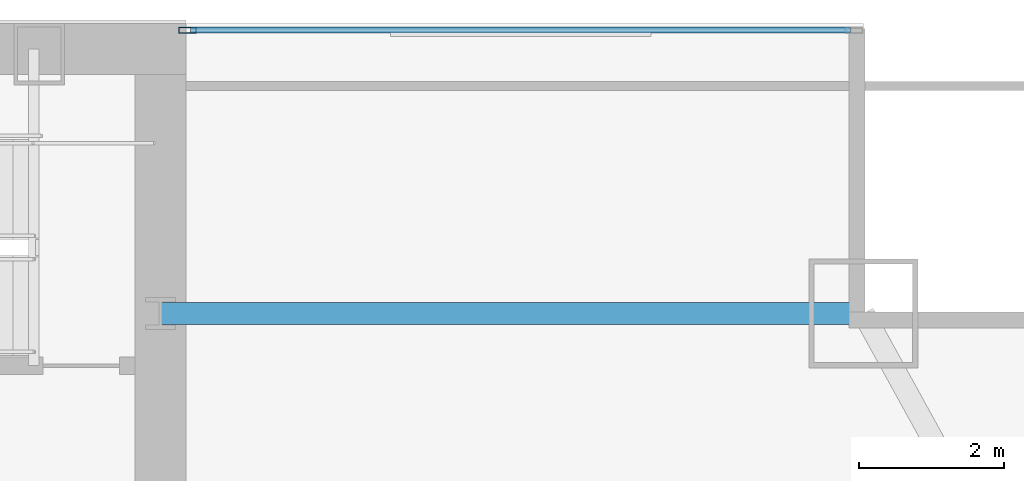
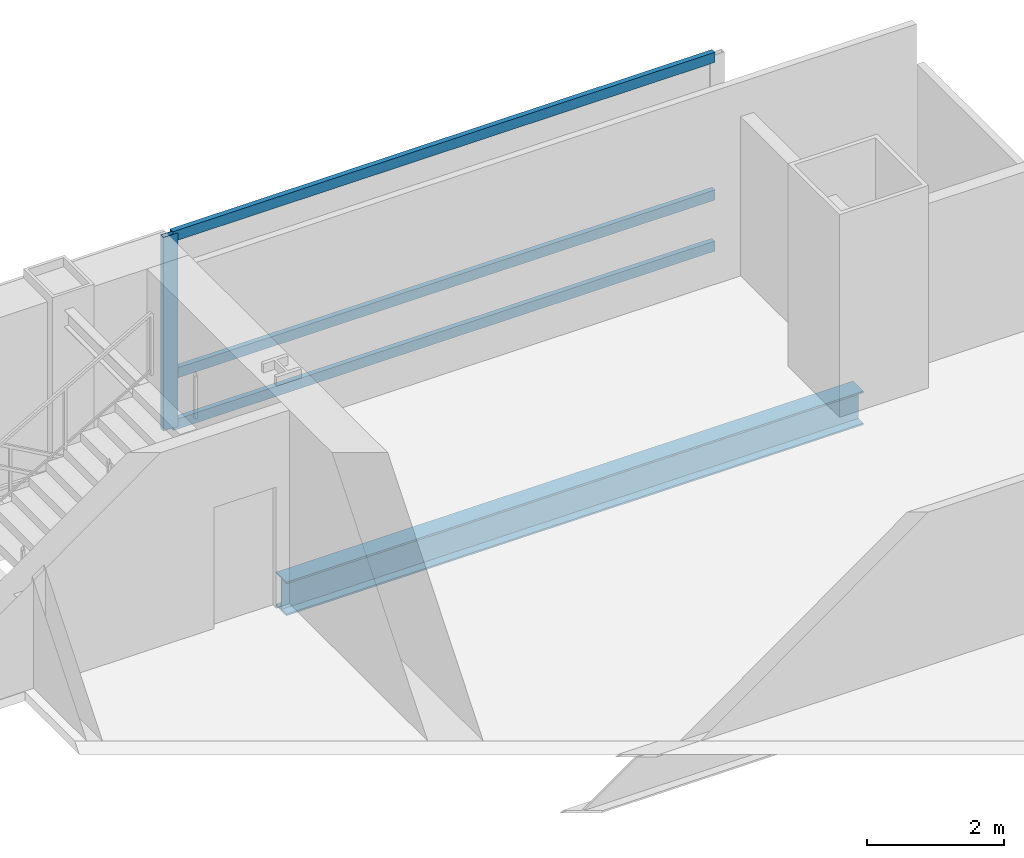
# One storey, part 20 of 32: 4 members, 1 beam, 1 element without a shape of its own.
"""IFC4 building model written with IfcOpenShell, lengths in metres."""

from ifc_helpers import new_model, si_unit, direction, frame, origin, origin_2d, place, context, subcontext, project, spatial, hollow_rectangle, i_section, extrude, material, material_profile, profile_set, type_object, element, aggregate, save


model = new_model("IFC4")

# Units and contexts
model_context = context("Model", 3, precision=1e-05, world=origin(), true_north=direction((0.0, 1.0)))
body_context = subcontext(model_context, "Body", "Model", "MODEL_VIEW")
ifc_project = project(units=[si_unit("LENGTHUNIT", "METRE"), si_unit("AREAUNIT", "SQUARE_METRE"), si_unit("VOLUMEUNIT", "CUBIC_METRE"), si_unit("PLANEANGLEUNIT", "RADIAN"), si_unit("MASSUNIT", "GRAM", prefix="KILO")], contexts=[model_context])

# Site, building, storey
site_placement = place(None, origin())
site = spatial("IfcSite", under=ifc_project, at=site_placement, CompositionType="ELEMENT")
building_placement = place(site_placement, origin())
building = spatial("IfcBuilding", under=site, at=building_placement, Name="Khoronbel Lancet Exchange", CompositionType="ELEMENT")
storey_placement = place(building_placement, frame((0.0, 0.0, 125.39990234375)))
storey = spatial("IfcBuildingStorey", under=building, at=storey_placement, Name="L30", CompositionType="ELEMENT", Elevation=125.39990234375)

# Beam
ifc_material_1 = material(Name="Steel S355", Category="steel")
ifc_material_profile_1 = material_profile(ifc_material_1, i_section(OverallWidth=0.300048828125, OverallDepth=0.60009765625, WebThickness=0.015380859375, FlangeThickness=0.030029296875, at=origin_2d()), Name="HEB 600")
ifc_profile_set_1 = profile_set([ifc_material_profile_1], Name="Steel S355")
beam_type = type_object("IfcBeamType", Name="BM-BSP2", PredefinedType="SPANDREL", material=ifc_profile_set_1)
beam_placement = place(storey_placement, frame((66.050048828125, 49.699951171875, -0.4599609375), z_axis=(-1.0, 0.0, 0.0), x_axis=(0.0, -1.0, 0.0)))
element("IfcBeam", 1, at=beam_placement, inside=storey, type_object=beam_type, Name="Level L30 north flank tie spandrel SP23", PredefinedType="SPANDREL", context=body_context, shape_type="SweptSolid", body=[
    extrude(i_section(OverallWidth=0.300048828125, OverallDepth=0.60009765625, WebThickness=0.015380859375, FlangeThickness=0.030029296875, at=origin_2d()), origin(), (0.0, 0.0, 1.0), 9.699951171875),
])

# Curtain wall, members
ifc_material_2 = material(Name="Low-E Solar Control Insulating Glass", Category="glass")
curtain_wall_type = type_object("IfcCurtainWallType", Name="CW-2", PredefinedType="NOTDEFINED", material=ifc_material_2)
curtain_wall_placement = place(storey_placement, origin())
curtain_wall = element("IfcCurtainWall", 2, at=curtain_wall_placement, inside=storey, type_object=curtain_wall_type, Name="Unitised curtain wall CW-L30-NEFLK", PredefinedType="NOTDEFINED")
ifc_material_3 = material(Name="Bronze-Anodised Aluminium 6063-T6", Category="aluminium")
ifc_material_profile_2 = material_profile(ifc_material_3, hollow_rectangle(XDim=0.0849609375, YDim=0.239990234375, WallThickness=0.006103515625, at=origin_2d()), Name="ALU MULLION 85x240")
ifc_profile_set_2 = profile_set([ifc_material_profile_2], Name="Bronze-Anodised Aluminium 6063-T6")
member_type_1 = type_object("IfcMemberType", Name="MEM-CWM1", PredefinedType="MULLION", material=ifc_profile_set_2)
member_1_placement = place(storey_placement, frame((56.722412109375, 53.610107421875, 0.0), z_axis=(0.0, 0.0, 1.0), x_axis=(0.0, -1.0, 0.0)))
member_1 = element("IfcMember", 3, at=member_1_placement, type_object=member_type_1, Name="CW2 mullion 2", PredefinedType="MULLION", context=body_context, shape_type="SweptSolid", body=[
    extrude(hollow_rectangle(XDim=0.0849609375, YDim=0.239990234375, WallThickness=0.006103515625, at=origin_2d()), origin(), (0.0, 0.0, 1.0), 3.440185546875),
])
ifc_material_profile_3 = material_profile(ifc_material_3, hollow_rectangle(XDim=0.0849609375, YDim=0.179931640625, WallThickness=0.0048828125, at=origin_2d()), Name="ALU TRANSOM 85x180")
ifc_profile_set_3 = profile_set([ifc_material_profile_3], Name="Bronze-Anodised Aluminium 6063-T6")
member_type_2 = type_object("IfcMemberType", Name="MEM-CWT1", PredefinedType="USERDEFINED", material=ifc_profile_set_3)
member_2_placement = place(storey_placement, frame((65.875, 53.610107421875, 0.04248046875), z_axis=(-1.0, 0.0, 0.0), x_axis=(0.0, -1.0, 0.0)))
member_2 = element("IfcMember", 4, at=member_2_placement, type_object=member_type_2, Name="CW2 transom 1.1", ObjectType="TRANSOM", PredefinedType="USERDEFINED", context=body_context, shape_type="SweptSolid", body=[
    extrude(hollow_rectangle(XDim=0.0849609375, YDim=0.179931640625, WallThickness=0.0048828125, at=origin_2d()), origin(), (0.0, 0.0, 1.0), 9.110107421875),
])
member_3_placement = place(storey_placement, frame((65.875, 53.610107421875, 0.9501953125), z_axis=(-1.0, 0.0, 0.0), x_axis=(0.0, -1.0, 0.0)))
member_3 = element("IfcMember", 5, at=member_3_placement, type_object=member_type_2, Name="CW2 transom 1.2", ObjectType="TRANSOM", PredefinedType="USERDEFINED", context=body_context, shape_type="SweptSolid", body=[
    extrude(hollow_rectangle(XDim=0.0849609375, YDim=0.179931640625, WallThickness=0.0048828125, at=origin_2d()), origin(), (0.0, 0.0, 1.0), 9.110107421875),
])
member_4_placement = place(storey_placement, frame((65.875, 53.610107421875, 3.397705078125), z_axis=(-1.0, 0.0, 0.0), x_axis=(0.0, -1.0, 0.0)))
member_4 = element("IfcMember", 6, at=member_4_placement, type_object=member_type_2, Name="CW2 transom 1.3", ObjectType="TRANSOM", PredefinedType="USERDEFINED", context=body_context, shape_type="SweptSolid", body=[
    extrude(hollow_rectangle(XDim=0.0849609375, YDim=0.179931640625, WallThickness=0.0048828125, at=origin_2d()), origin(), (0.0, 0.0, 1.0), 9.110107421875),
])
aggregate(curtain_wall, [member_1, member_2, member_3, member_4])

save(model, "model.ifc")
